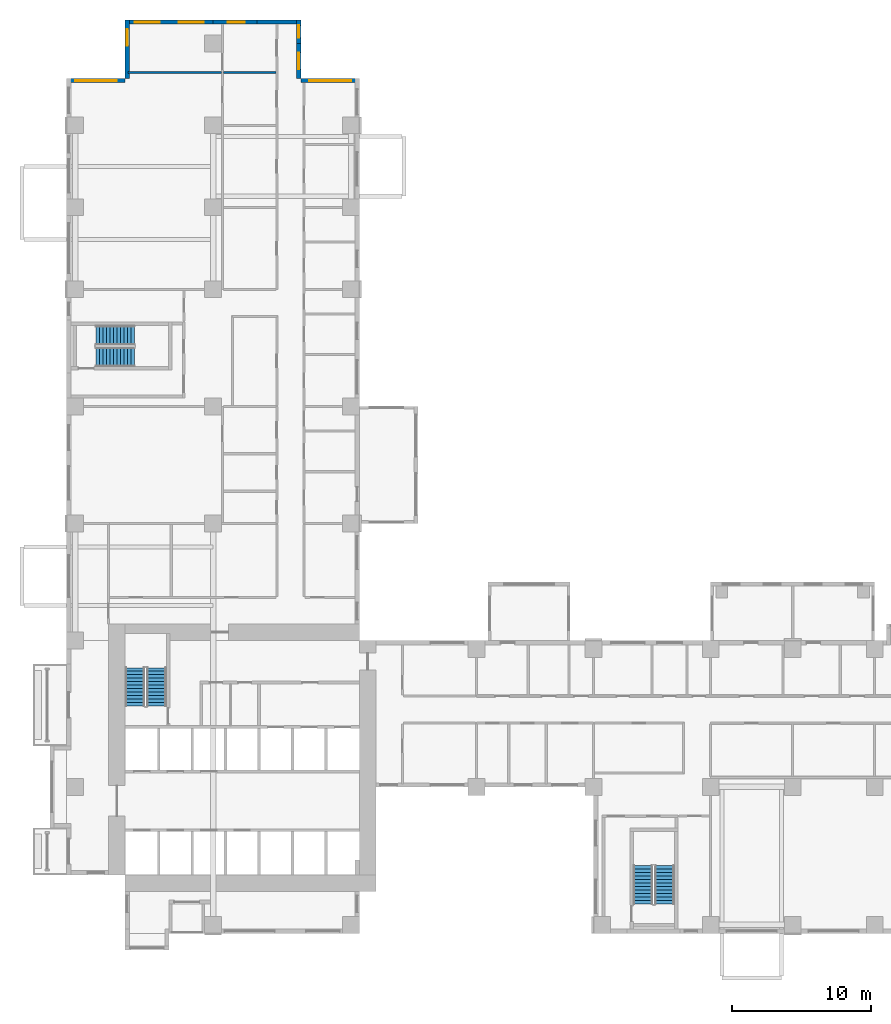
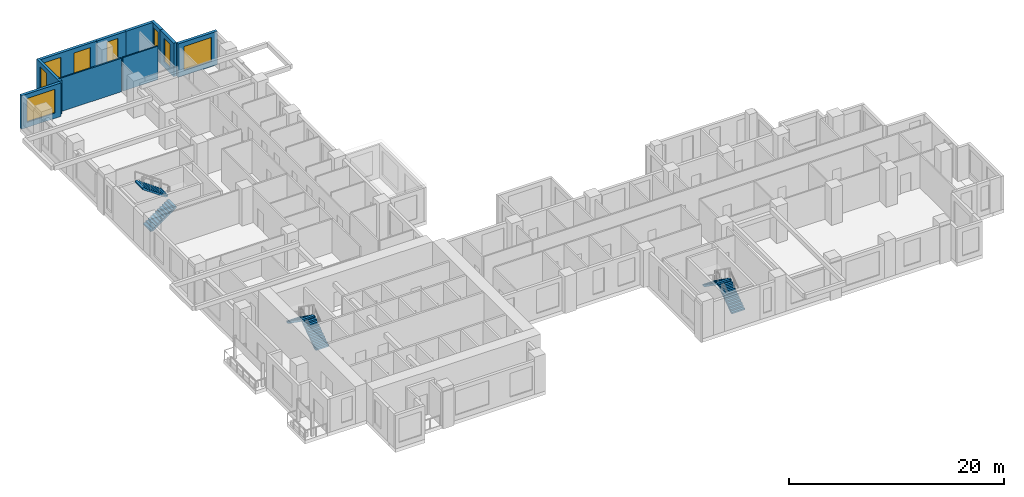
# One storey, part 10 of 14: 10 walls, 8 windows, 6 stair flights, 8 openings, 3 elements without a shape of their own.
"""IFC4 building model written with IfcOpenShell, lengths in metres."""

import ifcopenshell
import ifcopenshell.guid

model = None  # the IFC model being written
_history = None  # IfcOwnerHistory: only IFC2X3 demands one
_inside = {}  # id of a spatial element -> (the spatial element, [elements in it])
_under = {}  # id of a project, library or spatial element -> (it, [spatial elements below it])
_declared = {}  # id of a project -> (the project, [libraries it declares])
_typed = {}  # id of a type object -> (the type object, [elements of that type])
_made_of = {}  # id of a material, layer set ... -> (it, [elements and type objects made of it])


def new_model(schema):
    """Start an empty IFC model of exactly this schema.

    Asked for "IFC4X3", IfcOpenShell would pick the latest addendum, in which some entities
    have other attributes; the version numbers below select the first issue.
    IFC2X3 requires an IfcOwnerHistory on every rooted entity: one is made here for all.
    """
    global model, _history
    if schema == "IFC4X3":
        model = ifcopenshell.file(schema_version=(4, 3, 0, 0))
    else:
        model = ifcopenshell.file(schema=schema)
    _inside.clear()
    _under.clear()
    _declared.clear()
    _typed.clear()
    _made_of.clear()
    _history = None
    if model.schema == "IFC2X3":
        org = make("IfcOrganization", Name="unknown")
        user = make(
            "IfcPersonAndOrganization",
            ThePerson=make("IfcPerson", FamilyName="unknown"),
            TheOrganization=org,
        )
        app = make(
            "IfcApplication",
            ApplicationDeveloper=org,
            Version="unknown",
            ApplicationFullName="unknown",
            ApplicationIdentifier="unknown",
        )
        _history = make(
            "IfcOwnerHistory",
            OwningUser=user,
            OwningApplication=app,
            ChangeAction="ADDED",
            CreationDate=0,
        )
    return model


def make(cls, **values):
    """One entity of the class cls with the attributes given. An attribute that is None is left unset."""
    return model.create_entity(
        cls, **{name: value for name, value in values.items() if value is not None}
    )


def rooted(cls, **values):
    """An entity with a GlobalId (a new one), such as an element, a storey or a relation."""
    return make(cls, GlobalId=ifcopenshell.guid.new(), OwnerHistory=_history, **values)


def si_unit(unit_type, name, prefix=None):
    """IfcSIUnit, for example si_unit("LENGTHUNIT", "METRE", prefix="MILLI")."""
    return make("IfcSIUnit", UnitType=unit_type, Prefix=prefix, Name=name)


def assignment(units):
    """IfcUnitAssignment: the units of a project."""
    return None if units is None else make("IfcUnitAssignment", Units=units)


def point(xyz):
    """IfcCartesianPoint."""
    return None if xyz is None else make("IfcCartesianPoint", Coordinates=xyz)


def direction(xyz):
    """IfcDirection."""
    return None if xyz is None else make("IfcDirection", DirectionRatios=xyz)


def frame(location, z_axis=None, x_axis=None):
    """IfcAxis2Placement3D, a coordinate frame: its origin and axes. An axis left out is left unset."""
    return make(
        "IfcAxis2Placement3D",
        Location=point(location),
        Axis=direction(z_axis),
        RefDirection=direction(x_axis),
    )


def frame_2d(location, x_axis=None):
    """IfcAxis2Placement2D, a coordinate frame in the plane: its origin and x axis."""
    return make(
        "IfcAxis2Placement2D", Location=point(location), RefDirection=direction(x_axis)
    )


def origin():
    """The frame at (0, 0, 0) with its axes left unset."""
    return frame((0.0, 0.0, 0.0))


def place(relative_to, where):
    """IfcLocalPlacement: puts the frame where relative to a parent placement (None: the world)."""
    return make(
        "IfcLocalPlacement", PlacementRelTo=relative_to, RelativePlacement=where
    )


def context(
    kind, dimensions, precision=None, world=None, true_north=None, identifier=None
):
    """IfcGeometricRepresentationContext, for example the 3D "Model" context."""
    return make(
        "IfcGeometricRepresentationContext",
        ContextIdentifier=identifier,
        ContextType=kind,
        CoordinateSpaceDimension=dimensions,
        Precision=precision,
        WorldCoordinateSystem=world,
        TrueNorth=true_north,
    )


def subcontext(parent, identifier, kind, view, scale=None):
    """IfcGeometricRepresentationSubContext, for example "Body" below "Model"."""
    return make(
        "IfcGeometricRepresentationSubContext",
        ContextIdentifier=identifier,
        ContextType=kind,
        ParentContext=parent,
        TargetScale=scale,
        TargetView=view,
    )


def project(units=None, contexts=None):
    """IfcProject with its units and contexts."""
    return rooted(
        "IfcProject",
        Name="project",
        RepresentationContexts=contexts,
        UnitsInContext=assignment(units),
    )


def spatial(cls, under=None, at=None, **own):
    """A site, building, storey or space (cls), placed at a placement, below another one or the project."""
    s = rooted(cls, ObjectPlacement=at, **own)
    if under is not None:
        _under.setdefault(under.id(), (under, []))[1].append(s)
    return s


def polyline(points):
    """IfcPolyline through the points."""
    return make("IfcPolyline", Points=[point(p) for p in points])


def profile(cls, at=None, kind="AREA", **sizes):
    """A parametric profile (cls). Its sizes go by their IFC names, for example OverallWidth=200.0."""
    return make(cls, ProfileType=kind, Position=at, **sizes)


def rectangle(**sizes):
    """IfcRectangleProfileDef."""
    return profile("IfcRectangleProfileDef", **sizes)


def outline(outer, holes=None, kind="AREA"):
    """IfcArbitraryClosedProfileDef: a profile drawn as a closed curve; with holes, ...WithVoids."""
    if holes is None:
        return make("IfcArbitraryClosedProfileDef", ProfileType=kind, OuterCurve=outer)
    return make(
        "IfcArbitraryProfileDefWithVoids",
        ProfileType=kind,
        OuterCurve=outer,
        InnerCurves=holes,
    )


def extrude(swept, where, along, depth):
    """IfcExtrudedAreaSolid: the profile swept, set in the frame where, extruded along a direction by depth."""
    return make(
        "IfcExtrudedAreaSolid",
        SweptArea=swept,
        Position=where,
        ExtrudedDirection=direction(along),
        Depth=depth,
    )


def shape(context_of_items, identifier, shape_type, items):
    """IfcShapeRepresentation: the items that make up one representation, for example the "Body"."""
    return make(
        "IfcShapeRepresentation",
        ContextOfItems=context_of_items,
        RepresentationIdentifier=identifier,
        RepresentationType=shape_type,
        Items=items,
    )


def source(mapping_origin, context_of_items, identifier, shape_type, items):
    """IfcRepresentationMap: a shape defined once, which mapped items show again and again."""
    return make(
        "IfcRepresentationMap",
        MappingOrigin=mapping_origin,
        MappedRepresentation=shape(context_of_items, identifier, shape_type, items),
    )


def transform(
    local_origin,
    x_axis=None,
    y_axis=None,
    z_axis=None,
    scale=None,
    scale2=None,
    scale3=None,
    uniform=True,
):
    """IfcCartesianTransformationOperator3D, or its non-uniform kind. x_axis, y_axis, z_axis: its Axis1, 2, 3."""
    if uniform:
        return make(
            "IfcCartesianTransformationOperator3D",
            Axis1=direction(x_axis),
            Axis2=direction(y_axis),
            LocalOrigin=point(local_origin),
            Scale=scale,
            Axis3=direction(z_axis),
        )
    return make(
        "IfcCartesianTransformationOperator3DnonUniform",
        Axis1=direction(x_axis),
        Axis2=direction(y_axis),
        LocalOrigin=point(local_origin),
        Scale=scale,
        Axis3=direction(z_axis),
        Scale2=scale2,
        Scale3=scale3,
    )


def mapped(mapping_source, mapping_target):
    """IfcMappedItem: shows the shape of a source again, moved by a transform."""
    return make(
        "IfcMappedItem", MappingSource=mapping_source, MappingTarget=mapping_target
    )


def material(Name=None, Category=None):
    """IfcMaterial."""
    return make("IfcMaterial", Name=Name, Category=Category)


def layer(
    of_material, thickness, ventilated=None, Name=None, Category=None, Priority=None
):
    """IfcMaterialLayer: one layer of a wall or slab, of a material (None: an air gap)."""
    return make(
        "IfcMaterialLayer",
        Material=of_material,
        LayerThickness=thickness,
        IsVentilated=ventilated,
        Name=Name,
        Category=Category,
        Priority=Priority,
    )


def layer_set(layers, Name=None):
    """IfcMaterialLayerSet."""
    return make("IfcMaterialLayerSet", MaterialLayers=layers, LayerSetName=Name)


def made_of(thing, what):
    """Note that an element or type object is made of a material, layer set ...; save() writes the relation."""
    if what is not None:
        _made_of.setdefault(what.id(), (what, []))[1].append(thing)
    return thing


def type_object(cls, material=None, **own):
    """A type object (cls), such as IfcWallType, which elements share."""
    return made_of(rooted(cls, **own), material)


def element(
    cls,
    number,
    at=None,
    inside=None,
    cuts=None,
    type_object=None,
    material=None,
    context=None,
    identifier="Body",
    shape_type=None,
    held_by="IfcProductDefinitionShape",
    body=None,
    shapes=None,
    **own,
):
    """One element of the class cls, such as IfcWall. Its Tag is "e" and its number.

    at: its placement. inside: the storey or other place that contains it. cuts: it is an
    opening in that element (IfcRelVoidsElement). A single representation is given by context,
    identifier, shape_type and body (its items); several are given by shapes. held_by: the class
    of the entity that holds the representations. save() writes the other relations.
    """
    e = rooted(cls, Tag="e%d" % number, ObjectPlacement=at, **own)
    if body is not None:
        shapes = [shape(context, identifier, shape_type, body)]
    if shapes is not None:
        e.Representation = make(held_by, Representations=shapes)
    if inside is not None:
        _inside.setdefault(inside.id(), (inside, []))[1].append(e)
    if cuts is not None:
        rooted(
            "IfcRelVoidsElement", RelatingBuildingElement=cuts, RelatedOpeningElement=e
        )
    if type_object is not None:
        _typed.setdefault(type_object.id(), (type_object, []))[1].append(e)
    return made_of(e, material)


def fill(opening, filler):
    """IfcRelFillsElement: the door or window that sits in an opening."""
    return rooted(
        "IfcRelFillsElement",
        RelatingOpeningElement=opening,
        RelatedBuildingElement=filler,
    )


def aggregate(whole, parts):
    """IfcRelAggregates: a whole, such as a stair, and the parts it consists of."""
    return rooted("IfcRelAggregates", RelatingObject=whole, RelatedObjects=parts)


def save(model, path):
    """Write the relations noted so far, then the file.

    IfcRelAggregates (storeys below a building ...), IfcRelContainedInSpatialStructure (elements
    in a storey), IfcRelDefinesByType, IfcRelAssociatesMaterial and IfcRelDeclares: one each for
    every whole, place, type object, material and project.
    """
    for whole, parts in _under.values():
        aggregate(whole, parts)
    for where, things in _inside.values():
        rooted(
            "IfcRelContainedInSpatialStructure",
            RelatedElements=things,
            RelatingStructure=where,
        )
    for kind, things in _typed.values():
        rooted("IfcRelDefinesByType", RelatedObjects=things, RelatingType=kind)
    for what, things in _made_of.values():
        rooted("IfcRelAssociatesMaterial", RelatedObjects=things, RelatingMaterial=what)
    for by, libraries in _declared.values():
        rooted("IfcRelDeclares", RelatingContext=by, RelatedDefinitions=libraries)
    model.write(path)


model = new_model("IFC4")

# Units and contexts
model_context = context("Model", 3, precision=1e-05, world=origin(), true_north=direction((0.0, 1.0)))
body_context = subcontext(model_context, "Body", "Model", "MODEL_VIEW")
ifc_project = project(units=[si_unit("LENGTHUNIT", "METRE"), si_unit("AREAUNIT", "SQUARE_METRE"), si_unit("VOLUMEUNIT", "CUBIC_METRE"), si_unit("PLANEANGLEUNIT", "RADIAN"), si_unit("MASSUNIT", "GRAM", prefix="KILO")], contexts=[model_context])

# Site, building, storey
site_placement = place(None, origin())
site = spatial("IfcSite", under=ifc_project, at=site_placement, CompositionType="ELEMENT")
building_placement = place(site_placement, origin())
building = spatial("IfcBuilding", under=site, at=building_placement, Name="Aurelian Terraces", CompositionType="ELEMENT")
storey_placement = place(building_placement, frame((0.0, 0.0, 53.1)))
storey = spatial("IfcBuildingStorey", under=building, at=storey_placement, Name="L10", CompositionType="ELEMENT", Elevation=53.1)

# Wall
ifc_material_1 = material(Name="Terracotta rainscreen cladding", Category="masonry")
ifc_layer_1 = layer(ifc_material_1, 0.3)
ifc_layer_set_1 = layer_set([ifc_layer_1], Name="EW-300")
wall_type_1 = type_object("IfcWallType", Name="EW-300", PredefinedType="STANDARD", material=ifc_layer_set_1)
shared_shape_1 = source(origin(), body_context, "Body", "SweptSolid", [
    extrude(rectangle(XDim=3.15, YDim=0.3, at=frame_2d((1.575, 0.0))), origin(), (0.0, 0.0, 1.0), 3.8),
])
wall_1_placement = place(storey_placement, frame((16.8, 65.37, 0.0), z_axis=(0.0, 0.0, 1.0), x_axis=(-1.0, 0.0, 0.0)))
element("IfcWall", 1, at=wall_1_placement, inside=storey, type_object=wall_type_1, Name="External wall L10 F15.34", PredefinedType="STANDARD", context=body_context, shape_type="MappedRepresentation", body=[
    mapped(shared_shape_1, transform((0.0, 0.0, 0.0), scale=1.0)),
])

# Wall, opening, window
wall_2_placement = place(storey_placement, frame((13.65, 65.37, 0.0), z_axis=(0.0, 0.0, 1.0), x_axis=(-1.0, 0.0, 0.0)))
wall_2 = element("IfcWall", 2, at=wall_2_placement, inside=storey, type_object=wall_type_1, Name="External wall L10 F15.35", PredefinedType="STANDARD", context=body_context, shape_type="MappedRepresentation", body=[
    mapped(shared_shape_1, transform((0.0, 0.0, 0.0), scale=1.0)),
])
shared_shape_2 = source(origin(), body_context, "Body", "SweptSolid", [
    extrude(rectangle(XDim=1.2, YDim=2.7, at=frame_2d((0.6, 1.35))), frame((0.0, 0.16, 0.0), z_axis=(0.0, -1.0, 0.0), x_axis=(1.0, 0.0, 0.0)), (0.0, 0.0, 1.0), 0.32),
])
opening_1_placement = place(wall_2_placement, frame((0.8875, 0.0, 0.6)))
opening_1 = element("IfcOpeningElement", 3, at=opening_1_placement, cuts=wall_2, Name="Opening W1227", PredefinedType="OPENING", context=body_context, shape_type="MappedRepresentation", body=[
    mapped(shared_shape_2, transform((0.0, 0.0, 0.0), scale=1.0)),
])
ifc_material_2 = material(Name="Clear glazing", Category="glass")
window_type_1 = type_object("IfcWindowType", Name="W-1200x2700", PartitioningType="SINGLE_PANEL", PredefinedType="WINDOW", material=ifc_material_2)
shared_shape_3 = source(origin(), body_context, "Body", "SweptSolid", [
    extrude(rectangle(XDim=1.2, YDim=2.7, at=frame_2d((0.6, 1.35))), frame((0.0, 0.03, 0.0), z_axis=(0.0, -1.0, 0.0), x_axis=(1.0, 0.0, 0.0)), (0.0, 0.0, 1.0), 0.06),
])
window_1_placement = place(opening_1_placement, origin())
window_1 = element("IfcWindow", 4, at=window_1_placement, inside=storey, type_object=window_type_1, Name="Window L10 L10-F15-35-0", OverallHeight=2.7, OverallWidth=1.2, PartitioningType="SINGLE_PANEL", PredefinedType="WINDOW", context=body_context, shape_type="MappedRepresentation", body=[
    mapped(shared_shape_3, transform((0.0, 0.0, 0.0), scale=1.0)),
])
fill(opening_1, window_1)

shared_shape_4 = source(origin(), body_context, "Body", "SweptSolid", [
    extrude(rectangle(XDim=4.2, YDim=0.3, at=frame_2d((2.1, 0.0))), origin(), (0.0, 0.0, 1.0), 3.8),
])
wall_3_placement = place(storey_placement, frame((21.0, 61.17, 0.0), z_axis=(0.0, 0.0, 1.0), x_axis=(-1.0, 0.0, 0.0)))
wall_3 = element("IfcWall", 5, at=wall_3_placement, inside=storey, type_object=wall_type_1, Name="External wall L10 F13.31", PredefinedType="STANDARD", context=body_context, shape_type="MappedRepresentation", body=[
    mapped(shared_shape_4, transform((0.0, 0.0, 0.0), scale=1.0)),
])
shared_shape_5 = source(origin(), body_context, "Body", "SweptSolid", [
    extrude(rectangle(XDim=3.0, YDim=2.7, at=frame_2d((1.5, 1.35))), frame((0.0, 0.16, 0.0), z_axis=(0.0, -1.0, 0.0), x_axis=(1.0, 0.0, 0.0)), (0.0, 0.0, 1.0), 0.32),
])
opening_2_placement = place(wall_3_placement, frame((0.6, 0.0, 0.6)))
opening_2 = element("IfcOpeningElement", 6, at=opening_2_placement, cuts=wall_3, Name="Opening W3027", PredefinedType="OPENING", context=body_context, shape_type="MappedRepresentation", body=[
    mapped(shared_shape_5, transform((0.0, 0.0, 0.0), scale=1.0)),
])
window_type_2 = type_object("IfcWindowType", Name="W-3000x2700", PartitioningType="SINGLE_PANEL", PredefinedType="WINDOW", material=ifc_material_2)
shared_shape_6 = source(origin(), body_context, "Body", "SweptSolid", [
    extrude(rectangle(XDim=3.0, YDim=2.7, at=frame_2d((1.5, 1.35))), frame((0.0, 0.03, 0.0), z_axis=(0.0, -1.0, 0.0), x_axis=(1.0, 0.0, 0.0)), (0.0, 0.0, 1.0), 0.06),
])
window_2_placement = place(opening_2_placement, origin())
window_2 = element("IfcWindow", 7, at=window_2_placement, inside=storey, type_object=window_type_2, Name="Window L10 L10-F13-31-0", OverallHeight=2.7, OverallWidth=3.0, PartitioningType="SINGLE_PANEL", PredefinedType="WINDOW", context=body_context, shape_type="MappedRepresentation", body=[
    mapped(shared_shape_6, transform((0.0, 0.0, 0.0), scale=1.0)),
])
fill(opening_2, window_2)

wall_4_placement = place(storey_placement, frame((4.35, 65.52, 0.0), z_axis=(0.0, 0.0, 1.0), x_axis=(0.0, -1.0, 0.0)))
wall_4 = element("IfcWall", 8, at=wall_4_placement, inside=storey, type_object=wall_type_1, Name="External wall L10 F16.37", PredefinedType="STANDARD", context=body_context, shape_type="MappedRepresentation", body=[
    mapped(shared_shape_4, transform((0.0, 0.0, 0.0), scale=1.0)),
])
opening_3_placement = place(wall_4_placement, frame((0.66, 0.0, 0.6)))
opening_3 = element("IfcOpeningElement", 9, at=opening_3_placement, cuts=wall_4, Name="Opening W1227", PredefinedType="OPENING", context=body_context, shape_type="MappedRepresentation", body=[
    mapped(shared_shape_2, transform((0.0, 0.0, 0.0), scale=1.0)),
])
window_3_placement = place(opening_3_placement, origin())
window_3 = element("IfcWindow", 10, at=window_3_placement, inside=storey, type_object=window_type_1, Name="Window L10 L10-F16-37-0", OverallHeight=2.7, OverallWidth=1.2, PartitioningType="SINGLE_PANEL", PredefinedType="WINDOW", context=body_context, shape_type="MappedRepresentation", body=[
    mapped(shared_shape_3, transform((0.0, 0.0, 0.0), scale=1.0)),
])
fill(opening_3, window_3)

wall_5_placement = place(storey_placement, frame((4.2, 61.17, 0.0), z_axis=(0.0, 0.0, 1.0), x_axis=(-1.0, 0.0, 0.0)))
wall_5 = element("IfcWall", 11, at=wall_5_placement, inside=storey, type_object=wall_type_1, Name="External wall L10 F17.38", PredefinedType="STANDARD", context=body_context, shape_type="MappedRepresentation", body=[
    mapped(shared_shape_4, transform((0.0, 0.0, 0.0), scale=1.0)),
])
opening_4_placement = place(wall_5_placement, frame((0.6, 0.0, 0.6)))
opening_4 = element("IfcOpeningElement", 12, at=opening_4_placement, cuts=wall_5, Name="Opening W3027", PredefinedType="OPENING", context=body_context, shape_type="MappedRepresentation", body=[
    mapped(shared_shape_5, transform((0.0, 0.0, 0.0), scale=1.0)),
])
window_4_placement = place(opening_4_placement, origin())
window_4 = element("IfcWindow", 13, at=window_4_placement, inside=storey, type_object=window_type_2, Name="Window L10 L10-F17-38-0", OverallHeight=2.7, OverallWidth=3.0, PartitioningType="SINGLE_PANEL", PredefinedType="WINDOW", context=body_context, shape_type="MappedRepresentation", body=[
    mapped(shared_shape_6, transform((0.0, 0.0, 0.0), scale=1.0)),
])
fill(opening_4, window_4)

shared_shape_7 = source(origin(), body_context, "Body", "SweptSolid", [
    extrude(rectangle(XDim=2.52, YDim=0.3, at=frame_2d((1.26, 0.0))), origin(), (0.0, 0.0, 1.0), 3.8),
])
wall_6_placement = place(storey_placement, frame((16.65, 61.32, 0.0), z_axis=(0.0, 0.0, 1.0), x_axis=(0.0, 1.0, 0.0)))
wall_6 = element("IfcWall", 14, at=wall_6_placement, inside=storey, type_object=wall_type_1, Name="External wall L10 F14.32", PredefinedType="STANDARD", context=body_context, shape_type="MappedRepresentation", body=[
    mapped(shared_shape_7, transform((0.0, 0.0, 0.0), scale=1.0)),
])
opening_5_placement = place(wall_6_placement, frame((0.66, 0.0, 0.6)))
opening_5 = element("IfcOpeningElement", 15, at=opening_5_placement, cuts=wall_6, Name="Opening W1227", PredefinedType="OPENING", context=body_context, shape_type="MappedRepresentation", body=[
    mapped(shared_shape_2, transform((0.0, 0.0, 0.0), scale=1.0)),
])
window_5_placement = place(opening_5_placement, origin())
window_5 = element("IfcWindow", 16, at=window_5_placement, inside=storey, type_object=window_type_1, Name="Window L10 L10-F14-32-0", OverallHeight=2.7, OverallWidth=1.2, PartitioningType="SINGLE_PANEL", PredefinedType="WINDOW", context=body_context, shape_type="MappedRepresentation", body=[
    mapped(shared_shape_3, transform((0.0, 0.0, 0.0), scale=1.0)),
])
fill(opening_5, window_5)

shared_shape_8 = source(origin(), body_context, "Body", "SweptSolid", [
    extrude(rectangle(XDim=1.68, YDim=0.3, at=frame_2d((0.84, 0.0))), origin(), (0.0, 0.0, 1.0), 3.8),
])
wall_7_placement = place(storey_placement, frame((16.65, 63.84, 0.0), z_axis=(0.0, 0.0, 1.0), x_axis=(0.0, 1.0, 0.0)))
wall_7 = element("IfcWall", 17, at=wall_7_placement, inside=storey, type_object=wall_type_1, Name="External wall L10 F14.33", PredefinedType="STANDARD", context=body_context, shape_type="MappedRepresentation", body=[
    mapped(shared_shape_8, transform((0.0, 0.0, 0.0), scale=1.0)),
])
shared_shape_9 = source(origin(), body_context, "Body", "SweptSolid", [
    extrude(rectangle(XDim=0.9, YDim=2.7, at=frame_2d((0.45, 1.35))), frame((0.0, 0.16, 0.0), z_axis=(0.0, -1.0, 0.0), x_axis=(1.0, 0.0, 0.0)), (0.0, 0.0, 1.0), 0.32),
])
opening_6_placement = place(wall_7_placement, frame((0.39, 0.0, 0.6)))
opening_6 = element("IfcOpeningElement", 18, at=opening_6_placement, cuts=wall_7, Name="Opening W0927", PredefinedType="OPENING", context=body_context, shape_type="MappedRepresentation", body=[
    mapped(shared_shape_9, transform((0.0, 0.0, 0.0), scale=1.0)),
])
window_type_3 = type_object("IfcWindowType", Name="W-900x2700", PartitioningType="SINGLE_PANEL", PredefinedType="WINDOW", material=ifc_material_2)
shared_shape_10 = source(origin(), body_context, "Body", "SweptSolid", [
    extrude(rectangle(XDim=0.9, YDim=2.7, at=frame_2d((0.45, 1.35))), frame((0.0, 0.03, 0.0), z_axis=(0.0, -1.0, 0.0), x_axis=(1.0, 0.0, 0.0)), (0.0, 0.0, 1.0), 0.06),
])
window_6_placement = place(opening_6_placement, origin())
window_6 = element("IfcWindow", 19, at=window_6_placement, inside=storey, type_object=window_type_3, Name="Window L10 L10-F14-33-P0", OverallHeight=2.7, OverallWidth=0.9, PartitioningType="SINGLE_PANEL", PredefinedType="WINDOW", context=body_context, shape_type="MappedRepresentation", body=[
    mapped(shared_shape_10, transform((0.0, 0.0, 0.0), scale=1.0)),
])
fill(opening_6, window_6)

# Wall, openings, windows
shared_shape_11 = source(origin(), body_context, "Body", "SweptSolid", [
    extrude(rectangle(XDim=6.3, YDim=0.3, at=frame_2d((3.15, 0.0))), origin(), (0.0, 0.0, 1.0), 3.8),
])
wall_8_placement = place(storey_placement, frame((10.5, 65.37, 0.0), z_axis=(0.0, 0.0, 1.0), x_axis=(-1.0, 0.0, 0.0)))
wall_8 = element("IfcWall", 20, at=wall_8_placement, inside=storey, type_object=wall_type_1, Name="External wall L10 F15.36", PredefinedType="STANDARD", context=body_context, shape_type="MappedRepresentation", body=[
    mapped(shared_shape_11, transform((0.0, 0.0, 0.0), scale=1.0)),
])
shared_shape_12 = source(origin(), body_context, "Body", "SweptSolid", [
    extrude(rectangle(XDim=1.8, YDim=2.7, at=frame_2d((0.9, 1.35))), frame((0.0, 0.16, 0.0), z_axis=(0.0, -1.0, 0.0), x_axis=(1.0, 0.0, 0.0)), (0.0, 0.0, 1.0), 0.32),
])
opening_7_placement = place(wall_8_placement, frame((0.675, 0.0, 0.6)))
opening_7 = element("IfcOpeningElement", 21, at=opening_7_placement, cuts=wall_8, Name="Opening W1827", PredefinedType="OPENING", context=body_context, shape_type="MappedRepresentation", body=[
    mapped(shared_shape_12, transform((0.0, 0.0, 0.0), scale=1.0)),
])
opening_8_placement = place(wall_8_placement, frame((3.825, 0.0, 0.6)))
opening_8 = element("IfcOpeningElement", 22, at=opening_8_placement, cuts=wall_8, Name="Opening W1827", PredefinedType="OPENING", context=body_context, shape_type="MappedRepresentation", body=[
    mapped(shared_shape_12, transform((0.0, 0.0, 0.0), scale=1.0)),
])
window_type_4 = type_object("IfcWindowType", Name="W-1800x2700", PartitioningType="SINGLE_PANEL", PredefinedType="WINDOW", material=ifc_material_2)
shared_shape_13 = source(origin(), body_context, "Body", "SweptSolid", [
    extrude(rectangle(XDim=1.8, YDim=2.7, at=frame_2d((0.9, 1.35))), frame((0.0, 0.03, 0.0), z_axis=(0.0, -1.0, 0.0), x_axis=(1.0, 0.0, 0.0)), (0.0, 0.0, 1.0), 0.06),
])
window_7_placement = place(opening_7_placement, origin())
window_7 = element("IfcWindow", 23, at=window_7_placement, inside=storey, type_object=window_type_4, Name="Window L10 L10-F15-36-0", OverallHeight=2.7, OverallWidth=1.8, PartitioningType="SINGLE_PANEL", PredefinedType="WINDOW", context=body_context, shape_type="MappedRepresentation", body=[
    mapped(shared_shape_13, transform((0.0, 0.0, 0.0), scale=1.0)),
])
fill(opening_7, window_7)
window_8_placement = place(opening_8_placement, origin())
window_8 = element("IfcWindow", 24, at=window_8_placement, inside=storey, type_object=window_type_4, Name="Window L10 L10-F15-36-1", OverallHeight=2.7, OverallWidth=1.8, PartitioningType="SINGLE_PANEL", PredefinedType="WINDOW", context=body_context, shape_type="MappedRepresentation", body=[
    mapped(shared_shape_13, transform((0.0, 0.0, 0.0), scale=1.0)),
])
fill(opening_8, window_8)

# Walls
ifc_material_3 = material(Name="Gypsum board on steel studs", Category="steel")
ifc_layer_2 = layer(ifc_material_3, 0.15)
ifc_layer_set_2 = layer_set([ifc_layer_2], Name="Partition 150")
wall_type_2 = type_object("IfcWallType", Name="Partition 150", PredefinedType="PARTITIONING", material=ifc_layer_set_2)
shared_shape_14 = source(origin(), body_context, "Body", "SweptSolid", [
    extrude(rectangle(XDim=3.75, YDim=0.15, at=frame_2d((1.875, 0.0))), origin(), (0.0, 0.0, 1.0), 3.8),
])
wall_9_placement = place(storey_placement, frame((15.0, 61.74, 0.0), z_axis=(0.0, 0.0, 1.0), x_axis=(-1.0, 0.0, 0.0)))
element("IfcWall", 25, at=wall_9_placement, inside=storey, type_object=wall_type_2, Name="Partition", PredefinedType="PARTITIONING", context=body_context, shape_type="MappedRepresentation", body=[
    mapped(shared_shape_14, transform((0.0, 0.0, 0.0), scale=1.0)),
])
shared_shape_15 = source(origin(), body_context, "Body", "SweptSolid", [
    extrude(rectangle(XDim=6.695, YDim=0.15, at=frame_2d((3.3475, 0.0))), origin(), (0.0, 0.0, 1.0), 3.8),
])
wall_10_placement = place(storey_placement, frame((11.1, 61.74, 0.0), z_axis=(0.0, 0.0, 1.0), x_axis=(-1.0, 0.0, 0.0)))
element("IfcWall", 26, at=wall_10_placement, inside=storey, type_object=wall_type_2, Name="Partition", PredefinedType="PARTITIONING", context=body_context, shape_type="MappedRepresentation", body=[
    mapped(shared_shape_15, transform((0.0, 0.0, 0.0), scale=1.0)),
])

# Stair, stair flights
ifc_material_4 = material(Name="Concrete fc' 40 MPa", Category="concrete")
stair_type = type_object("IfcStairType", Name="Stair 1400", PredefinedType="HALF_TURN_STAIR", material=ifc_material_4)
stair_1_placement = place(storey_placement, origin())
stair_1 = element("IfcStair", 27, at=stair_1_placement, inside=storey, type_object=stair_type, Name="L10 S1", PredefinedType="HALF_TURN_STAIR")
stair_flight_type = type_object("IfcStairFlightType", Name="Stair flight 1400", PredefinedType="STRAIGHT", material=ifc_material_4)
shared_shape_16 = source(origin(), body_context, "Body", "SweptSolid", [
    extrude(outline(polyline([(0.0, 0.0), (0.0, 0.175), (0.25, 0.175), (0.25, 0.35), (0.5, 0.35), (0.5, 0.525), (0.75, 0.525), (0.75, 0.7), (1.0, 0.7), (1.0, 0.875), (1.25, 0.875), (1.25, 1.05), (1.5, 1.05), (1.5, 1.225), (1.75, 1.225), (1.75, 1.4), (2.0, 1.4), (2.0, 1.575), (2.25, 1.575), (2.25, 1.75), (2.5, 1.75), (2.5, 1.925), (2.75, 1.925), (2.75, 2.1), (2.75, 1.7419), (0.2616, 0.0), (0.0, 0.0)])), frame((0.0, 0.7, 0.0), z_axis=(0.0, -1.0, 0.0), x_axis=(1.0, 0.0, 0.0)), (0.0, 0.0, 1.0), 1.4),
])
stair_flight_1_placement = place(storey_placement, frame((6.45, 16.3, 2e-08), z_axis=(0.0, 0.0, 1.0), x_axis=(0.0, 1.0, 0.0)))
stair_flight_1 = element("IfcStairFlight", 28, at=stair_flight_1_placement, type_object=stair_flight_type, Name="S1 flight 1", NumberOfRisers=12, NumberOfTreads=11, PredefinedType="STRAIGHT", RiserHeight=0.175, TreadLength=0.25, context=body_context, shape_type="MappedRepresentation", body=[
    mapped(shared_shape_16, transform((0.0, 0.0, 0.0), scale=1.0)),
])
stair_flight_2_placement = place(storey_placement, frame((4.9, 19.05, 2.1000000200000013), z_axis=(0.0, 0.0, 1.0), x_axis=(0.0, -1.0, 0.0)))
stair_flight_2 = element("IfcStairFlight", 29, at=stair_flight_2_placement, type_object=stair_flight_type, Name="S1 flight 2", NumberOfRisers=12, NumberOfTreads=11, PredefinedType="STRAIGHT", RiserHeight=0.175, TreadLength=0.25, context=body_context, shape_type="MappedRepresentation", body=[
    mapped(shared_shape_16, transform((0.0, 0.0, 0.0), scale=1.0)),
])
aggregate(stair_1, [stair_flight_1, stair_flight_2])

stair_2_placement = place(storey_placement, origin())
stair_2 = element("IfcStair", 30, at=stair_2_placement, inside=storey, type_object=stair_type, Name="L10 S2", PredefinedType="HALF_TURN_STAIR")
stair_flight_3_placement = place(storey_placement, frame((42.9, 2.1, 2e-08), z_axis=(0.0, 0.0, 1.0), x_axis=(0.0, 1.0, 0.0)))
stair_flight_3 = element("IfcStairFlight", 31, at=stair_flight_3_placement, type_object=stair_flight_type, Name="S2 flight 1", NumberOfRisers=12, NumberOfTreads=11, PredefinedType="STRAIGHT", RiserHeight=0.175, TreadLength=0.25, context=body_context, shape_type="MappedRepresentation", body=[
    mapped(shared_shape_16, transform((0.0, 0.0, 0.0), scale=1.0)),
])
stair_flight_4_placement = place(storey_placement, frame((41.35, 4.85, 2.1000000200000013), z_axis=(0.0, 0.0, 1.0), x_axis=(0.0, -1.0, 0.0)))
stair_flight_4 = element("IfcStairFlight", 32, at=stair_flight_4_placement, type_object=stair_flight_type, Name="S2 flight 2", NumberOfRisers=12, NumberOfTreads=11, PredefinedType="STRAIGHT", RiserHeight=0.175, TreadLength=0.25, context=body_context, shape_type="MappedRepresentation", body=[
    mapped(shared_shape_16, transform((0.0, 0.0, 0.0), scale=1.0)),
])
aggregate(stair_2, [stair_flight_3, stair_flight_4])

stair_3_placement = place(storey_placement, origin())
stair_3 = element("IfcStair", 33, at=stair_3_placement, inside=storey, type_object=stair_type, Name="L10 S3", PredefinedType="HALF_TURN_STAIR")
stair_flight_5_placement = place(storey_placement, frame((2.1, 41.35, 2e-08), z_axis=(0.0, 0.0, 1.0), x_axis=(1.0, 0.0, 0.0)))
stair_flight_5 = element("IfcStairFlight", 34, at=stair_flight_5_placement, type_object=stair_flight_type, Name="S3 flight 1", NumberOfRisers=12, NumberOfTreads=11, PredefinedType="STRAIGHT", RiserHeight=0.175, TreadLength=0.25, context=body_context, shape_type="MappedRepresentation", body=[
    mapped(shared_shape_16, transform((0.0, 0.0, 0.0), scale=1.0)),
])
stair_flight_6_placement = place(storey_placement, frame((4.85, 42.9, 2.1000000200000013), z_axis=(0.0, 0.0, 1.0), x_axis=(-1.0, 0.0, 0.0)))
stair_flight_6 = element("IfcStairFlight", 35, at=stair_flight_6_placement, type_object=stair_flight_type, Name="S3 flight 2", NumberOfRisers=12, NumberOfTreads=11, PredefinedType="STRAIGHT", RiserHeight=0.175, TreadLength=0.25, context=body_context, shape_type="MappedRepresentation", body=[
    mapped(shared_shape_16, transform((0.0, 0.0, 0.0), scale=1.0)),
])
aggregate(stair_3, [stair_flight_5, stair_flight_6])

save(model, "model.ifc")
